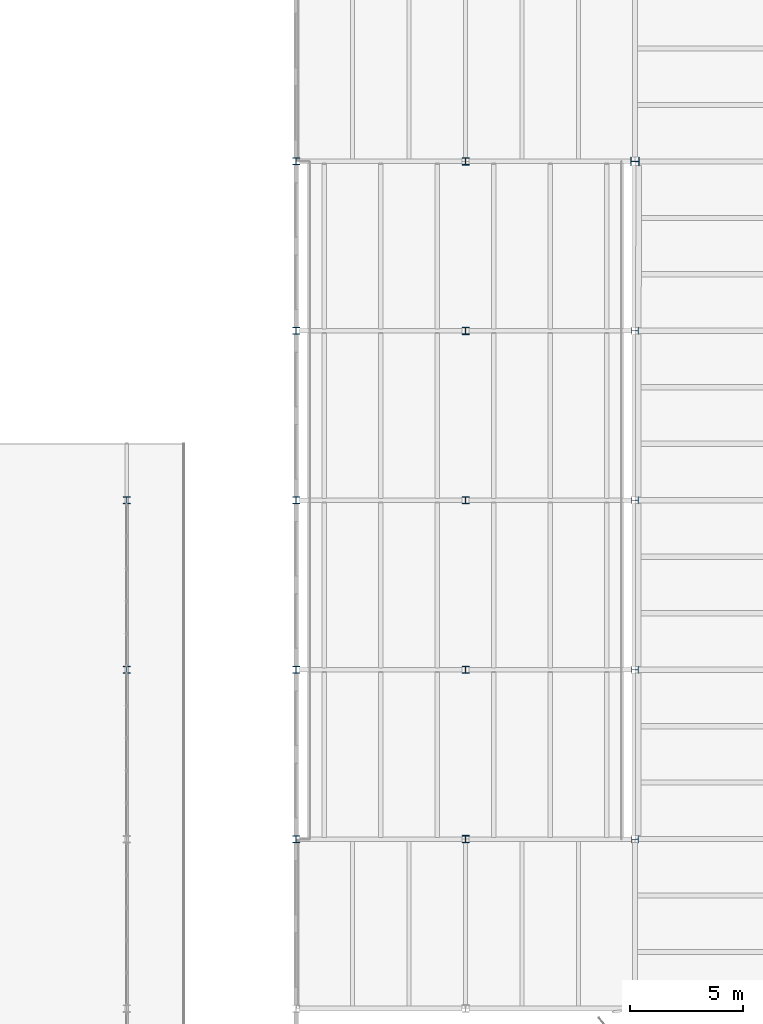
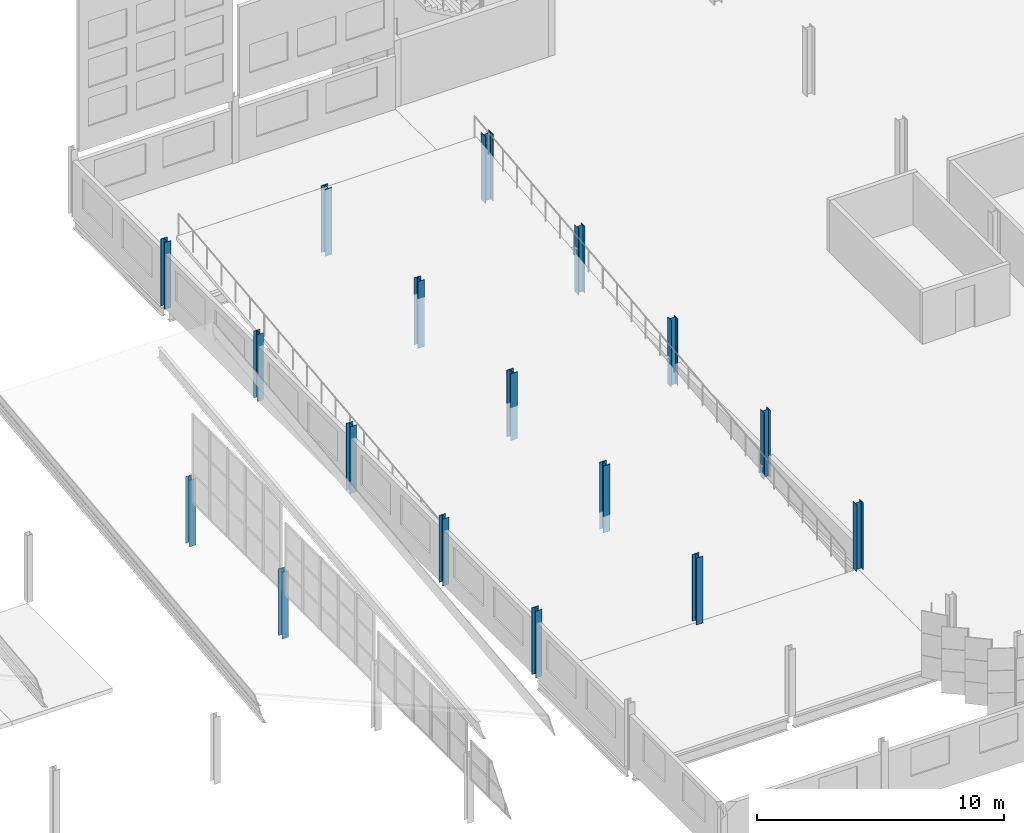
# One storey, part 16 of 199: 17 columns.
"""IFC4 building model written with IfcOpenShell, lengths in metres."""

from ifc_helpers import new_model, si_unit, direction, frame, origin, origin_2d, place, context, subcontext, project, spatial, i_section, extrude, material, material_profile, profile_set, type_object, element, save


model = new_model("IFC4")

# Units and contexts
model_context = context("Model", 3, precision=1e-05, world=origin(), true_north=direction((0.0, 1.0)))
body_context = subcontext(model_context, "Body", "Model", "MODEL_VIEW")
ifc_project = project(units=[si_unit("LENGTHUNIT", "METRE"), si_unit("AREAUNIT", "SQUARE_METRE"), si_unit("VOLUMEUNIT", "CUBIC_METRE"), si_unit("PLANEANGLEUNIT", "RADIAN"), si_unit("MASSUNIT", "GRAM", prefix="KILO")], contexts=[model_context])

# Site, building, storey
site_placement = place(None, origin())
site = spatial("IfcSite", under=ifc_project, at=site_placement, CompositionType="ELEMENT")
building_placement = place(site_placement, origin())
building = spatial("IfcBuilding", under=site, at=building_placement, Name="Parallax Yard Mobility Hub", CompositionType="ELEMENT")
storey_placement = place(building_placement, frame((0.0, 0.0, 9.89990234375)))
storey = spatial("IfcBuildingStorey", under=building, at=storey_placement, Name="L03", CompositionType="ELEMENT", Elevation=9.89990234375)

# Columns
ifc_material = material(Name="Steel ASTM A992", Category="steel")
ifc_material_profile_1 = material_profile(ifc_material, i_section(OverallWidth=0.31005859375, OverallDepth=0.327880859375, WebThickness=0.015380859375, FlangeThickness=0.025146484375, FilletRadius=0.015380859375, at=origin_2d()), Name="W310x158")
ifc_profile_set_1 = profile_set([ifc_material_profile_1], Name="Steel ASTM A992")
column_type_1 = type_object("IfcColumnType", Name="W310x158 column", PredefinedType="COLUMN", material=ifc_profile_set_1)
for number, where, z_axis, x_axis, name in (
    (1, (187.5, 37.5, 0.0), (0.0, 0.0, 1.0), (1.0, 0.0, 0.0), "Column C6 level L03 at F/26 of ramp house"),
    (2, (187.5, 45.0, 0.0), (0.0, 0.0, 1.0), (1.0, 0.0, 0.0), "Column C6 level L03 at G/26 of ramp house"),
    (3, (187.5, 52.5, 0.0), (0.0, 0.0, 1.0), (1.0, 0.0, 0.0), "Column C6 level L03 at H/26 of ramp house"),
    (4, (187.5, 60.0, 0.0), (0.0, 0.0, 1.0), (1.0, 0.0, 0.0), "Column C6 level L03 at J/26 of ramp house"),
    (5, (187.5, 67.5, 0.0), (0.0, 0.0, 1.0), (1.0, 0.0, 0.0), "Column C6 level L03 at K/26 of ramp house"),
):
    element("IfcColumn", number, at=place(storey_placement, frame(where, z_axis=z_axis, x_axis=x_axis)), inside=storey, type_object=column_type_1, Name=name, PredefinedType="COLUMN", context=body_context, shape_type="SweptSolid", body=[
        extrude(i_section(OverallWidth=0.31005859375, OverallDepth=0.327880859375, WebThickness=0.015380859375, FlangeThickness=0.025146484375, FilletRadius=0.015380859375, at=origin_2d()), origin(), (0.0, 0.0, 1.0), 3.300048828125),
    ])
ifc_material_profile_2 = material_profile(ifc_material, i_section(OverallWidth=0.304931640625, OverallDepth=0.306884765625, WebThickness=0.010009765625, FlangeThickness=0.015380859375, FilletRadius=0.01513671875, at=origin_2d()), Name="W310x97")
ifc_profile_set_2 = profile_set([ifc_material_profile_2], Name="Steel ASTM A992")
column_type_2 = type_object("IfcColumnType", Name="W310x97 column", PredefinedType="COLUMN", material=ifc_profile_set_2)
for number, where, z_axis, x_axis, name in (
    (6, (180.0, 37.5, 0.0), (0.0, 0.0, 1.0), (1.0, 0.0, 0.0), "Column C1 level L03 at F/25 of ramp house"),
    (7, (180.0, 45.0, 0.0), (0.0, 0.0, 1.0), (1.0, 0.0, 0.0), "Column C1 level L03 at G/25 of ramp house"),
    (8, (180.0, 52.5, 0.0), (0.0, 0.0, 1.0), (1.0, 0.0, 0.0), "Column C1 level L03 at H/25 of ramp house"),
    (9, (180.0, 60.0, 0.0), (0.0, 0.0, 1.0), (1.0, 0.0, 0.0), "Column C1 level L03 at J/25 of ramp house"),
    (10, (180.0, 67.5, 0.0), (0.0, 0.0, 1.0), (1.0, 0.0, 0.0), "Column C1 level L03 at K/25 of ramp house"),
    (11, (195.0, 60.0, 0.0), (0.0, 0.0, 1.0), (0.0, 1.0, 0.0), "Column C1 level L03 at J/27 of ramped parking decks"),
    (12, (195.0, 52.5, 0.0), (0.0, 0.0, 1.0), (0.0, 1.0, 0.0), "Column C1 level L03 at H/27 of ramped parking decks"),
    (13, (195.0, 45.0, 0.0), (0.0, 0.0, 1.0), (0.0, 1.0, 0.0), "Column C1 level L03 at G/27 of ramped parking decks"),
    (14, (195.0, 37.5, 0.0), (0.0, 0.0, 1.0), (0.0, 1.0, 0.0), "Column C1 level L03 at F/27 of ramped parking decks"),
    (15, (172.5, 45.0, 0.0), (0.0, 0.0, 1.0), (1.0, 0.0, 0.0), "Roof column G/24 level L03"),
    (16, (172.5, 52.5, 0.0), (0.0, 0.0, 1.0), (1.0, 0.0, 0.0), "Roof column H/24 level L03"),
):
    element("IfcColumn", number, at=place(storey_placement, frame(where, z_axis=z_axis, x_axis=x_axis)), inside=storey, type_object=column_type_2, Name=name, PredefinedType="COLUMN", context=body_context, shape_type="SweptSolid", body=[
        extrude(i_section(OverallWidth=0.304931640625, OverallDepth=0.306884765625, WebThickness=0.010009765625, FlangeThickness=0.015380859375, FilletRadius=0.01513671875, at=origin_2d()), origin(), (0.0, 0.0, 1.0), 3.300048828125),
    ])
ifc_material_profile_3 = material_profile(ifc_material, i_section(OverallWidth=0.373046875, OverallDepth=0.367919921875, WebThickness=0.014892578125, FlangeThickness=0.02392578125, FilletRadius=0.01513671875, at=origin_2d()), Name="W360x179")
ifc_profile_set_3 = profile_set([ifc_material_profile_3], Name="Steel ASTM A992")
column_type_3 = type_object("IfcColumnType", Name="W360x179 column", PredefinedType="COLUMN", material=ifc_profile_set_3)
column_placement = place(storey_placement, frame((195.0, 67.5, 0.0), z_axis=(0.0, 0.0, 1.0), x_axis=(0.0, 1.0, 0.0)))
element("IfcColumn", 17, at=column_placement, inside=storey, type_object=column_type_3, Name="Column C7 level L03 at K/27 of ramped parking decks", PredefinedType="COLUMN", context=body_context, shape_type="SweptSolid", body=[
    extrude(i_section(OverallWidth=0.373046875, OverallDepth=0.367919921875, WebThickness=0.014892578125, FlangeThickness=0.02392578125, FilletRadius=0.01513671875, at=origin_2d()), origin(), (0.0, 0.0, 1.0), 3.300048828125),
])

save(model, "model.ifc")
